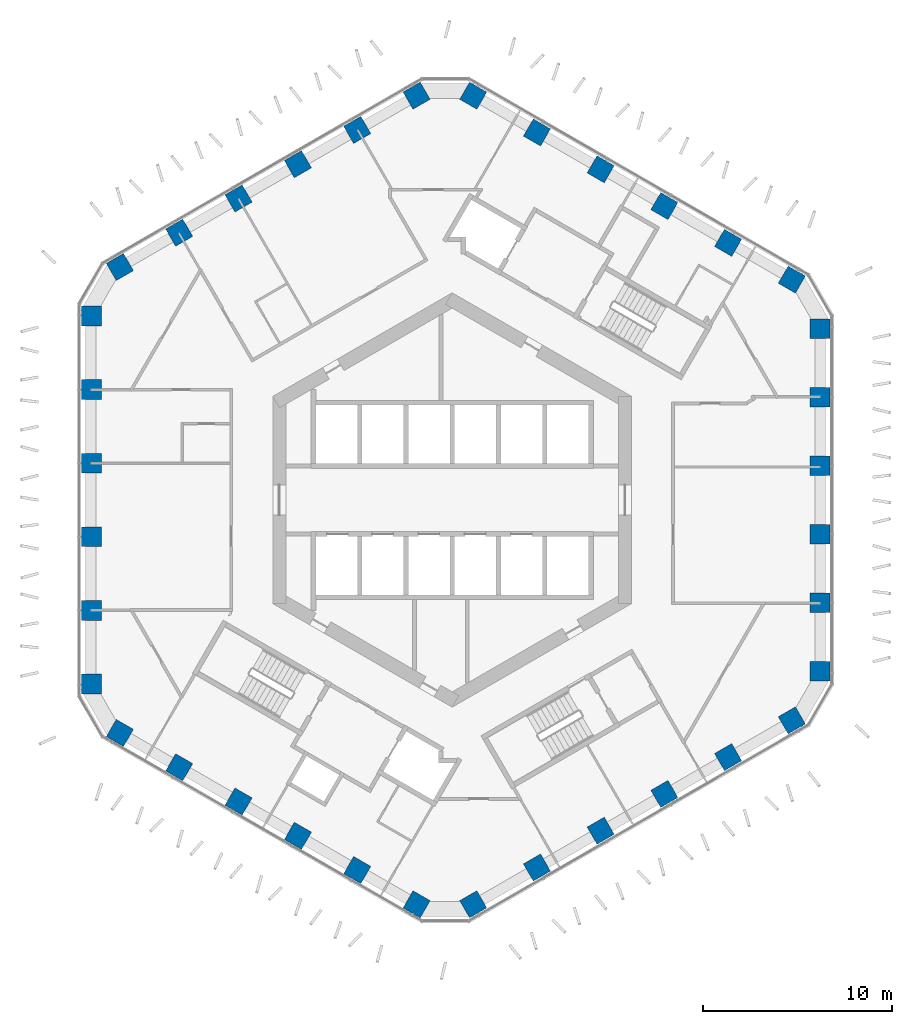
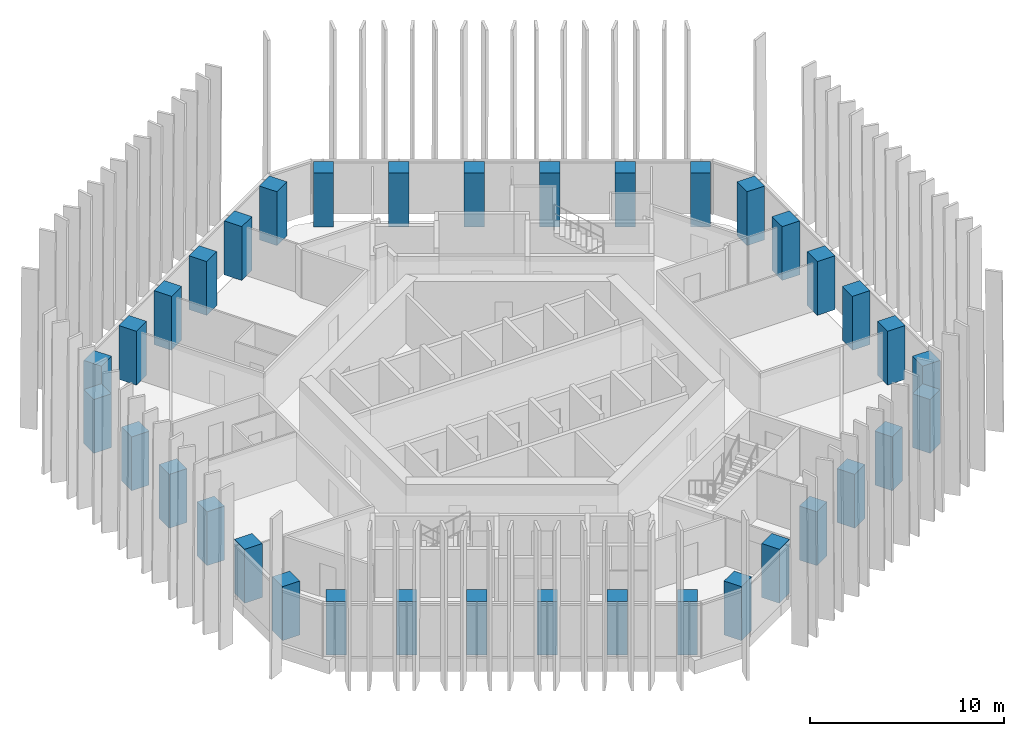
# One storey, part 1 of 19: 36 columns.
"""IFC4 building model written with IfcOpenShell, lengths in metres."""

from ifc_helpers import new_model, si_unit, direction, frame, origin, origin_2d, place, context, subcontext, project, spatial, rectangle, extrude, material, material_profile, profile_set, type_object, element, save


model = new_model("IFC4")

# Units and contexts
model_context = context("Model", 3, precision=1e-05, world=origin(), true_north=direction((0.0, 1.0)))
body_context = subcontext(model_context, "Body", "Model", "MODEL_VIEW")
ifc_project = project(units=[si_unit("LENGTHUNIT", "METRE"), si_unit("AREAUNIT", "SQUARE_METRE"), si_unit("VOLUMEUNIT", "CUBIC_METRE"), si_unit("PLANEANGLEUNIT", "RADIAN"), si_unit("MASSUNIT", "GRAM", prefix="KILO")], contexts=[model_context])

# Site, building, storey
site_placement = place(None, origin())
site = spatial("IfcSite", under=ifc_project, at=site_placement, CompositionType="ELEMENT")
building_placement = place(site_placement, origin())
building = spatial("IfcBuilding", under=site, at=building_placement, Name="Ayvan Gate Tower", CompositionType="ELEMENT")
storey_placement = place(building_placement, frame((0.0, 0.0, 103.5)))
storey = spatial("IfcBuildingStorey", under=building, at=storey_placement, Name="L27", CompositionType="ELEMENT", Elevation=103.5)

# Columns
ifc_material = material(Name="Concrete C60/75", Category="concrete")
ifc_material_profile = material_profile(ifc_material, rectangle(XDim=1.050048828125, YDim=1.050048828125, at=origin_2d()), Name="RC 1050x1050")
ifc_profile_set = profile_set([ifc_material_profile], Name="Concrete C60/75")
column_type = type_object("IfcColumnType", Name="Tube column RC 1050x1050 C60/75", PredefinedType="COLUMN", material=ifc_profile_set)
for number, where, z_axis, x_axis, name in (
    (1, (19.485595703125, -9.072509765625, 0.0), (0.0, 0.0, 1.0), (1.0, 0.0, 0.0), "C-T0-0-L27"),
    (2, (19.485595703125, -5.443603515625, 0.0), (0.0, 0.0, 1.0), (1.0, 0.0, 0.0), "C-T0-1-L27"),
    (3, (19.485595703125, -1.814453125, 0.0), (0.0, 0.0, 1.0), (1.0, 0.0, 0.0), "C-T0-2-L27"),
    (4, (19.485595703125, 1.814453125, 0.0), (0.0, 0.0, 1.0), (1.0, 0.0, 0.0), "C-T0-3-L27"),
    (5, (19.485595703125, 5.443603515625, 0.0), (0.0, 0.0, 1.0), (1.0, 0.0, 0.0), "C-T0-4-L27"),
    (6, (19.485595703125, 9.072509765625, 0.0), (0.0, 0.0, 1.0), (1.0, 0.0, 0.0), "C-T0-5-L27"),
    (7, (17.985595703125, 11.670654296875, 0.0), (0.0, 0.0, 1.0), (0.5, 0.866025403784, 0.0), "C-T1-0-L27"),
    (8, (14.611328125, 13.61865234375, 0.0), (0.0, 0.0, 1.0), (0.5, 0.866025403784, 0.0), "C-T1-1-L27"),
    (9, (11.237060546875, 15.56689453125, 0.0), (0.0, 0.0, 1.0), (0.5, 0.866025403784, 0.0), "C-T1-2-L27"),
    (10, (7.86279296875, 17.514892578125, 0.0), (0.0, 0.0, 1.0), (0.5, 0.866025403784, 0.0), "C-T1-3-L27"),
    (11, (4.488525390625, 19.463134765625, 0.0), (0.0, 0.0, 1.0), (0.5, 0.866025403784, 0.0), "C-T1-4-L27"),
    (12, (1.1142578125, 21.411376953125, 0.0), (0.0, 0.0, 1.0), (0.5, 0.866025403784, 0.0), "C-T1-5-L27"),
    (13, (-1.8857421875, 21.411376953125, 0.0), (0.0, 0.0, 1.0), (-0.5, 0.866025403784, 0.0), "C-T2-0-L27"),
    (14, (-5.028564453125, 19.5966796875, 0.0), (0.0, 0.0, 1.0), (-0.5, 0.866025403784, 0.0), "C-T2-1-L27"),
    (15, (-8.17138671875, 17.7822265625, 0.0), (0.0, 0.0, 1.0), (-0.5, 0.866025403784, 0.0), "C-T2-2-L27"),
    (16, (-11.314208984375, 15.9677734375, 0.0), (0.0, 0.0, 1.0), (-0.5, 0.866025403784, 0.0), "C-T2-3-L27"),
    (17, (-14.45703125, 14.1533203125, 0.0), (0.0, 0.0, 1.0), (-0.5, 0.866025403784, 0.0), "C-T2-4-L27"),
    (18, (-17.599853515625, 12.338623046875, 0.0), (0.0, 0.0, 1.0), (-0.5, 0.866025403784, 0.0), "C-T2-5-L27"),
    (19, (-19.099853515625, 9.74072265625, 0.0), (0.0, 0.0, 1.0), (-1.0, 0.0, 0.0), "C-T3-0-L27"),
    (20, (-19.099853515625, 5.844482421875, 0.0), (0.0, 0.0, 1.0), (-1.0, 0.0, 0.0), "C-T3-1-L27"),
    (21, (-19.099853515625, 1.9482421875, 0.0), (0.0, 0.0, 1.0), (-1.0, 0.0, 0.0), "C-T3-2-L27"),
    (22, (-19.099853515625, -1.9482421875, 0.0), (0.0, 0.0, 1.0), (-1.0, 0.0, 0.0), "C-T3-3-L27"),
    (23, (-19.099853515625, -5.844482421875, 0.0), (0.0, 0.0, 1.0), (-1.0, 0.0, 0.0), "C-T3-4-L27"),
    (24, (-19.099853515625, -9.74072265625, 0.0), (0.0, 0.0, 1.0), (-1.0, 0.0, 0.0), "C-T3-5-L27"),
    (25, (-17.599853515625, -12.338623046875, 0.0), (0.0, 0.0, 1.0), (-0.5, -0.866025403784, 0.0), "C-T4-0-L27"),
    (26, (-14.45703125, -14.1533203125, 0.0), (0.0, 0.0, 1.0), (-0.5, -0.866025403784, 0.0), "C-T4-1-L27"),
    (27, (-11.314208984375, -15.9677734375, 0.0), (0.0, 0.0, 1.0), (-0.5, -0.866025403784, 0.0), "C-T4-2-L27"),
    (28, (-8.17138671875, -17.7822265625, 0.0), (0.0, 0.0, 1.0), (-0.5, -0.866025403784, 0.0), "C-T4-3-L27"),
    (29, (-5.028564453125, -19.5966796875, 0.0), (0.0, 0.0, 1.0), (-0.5, -0.866025403784, 0.0), "C-T4-4-L27"),
    (30, (-1.8857421875, -21.411376953125, 0.0), (0.0, 0.0, 1.0), (-0.5, -0.866025403784, 0.0), "C-T4-5-L27"),
    (31, (1.1142578125, -21.411376953125, 0.0), (0.0, 0.0, 1.0), (0.5, -0.866025403784, 0.0), "C-T5-0-L27"),
    (32, (4.488525390625, -19.463134765625, 0.0), (0.0, 0.0, 1.0), (0.5, -0.866025403784, 0.0), "C-T5-1-L27"),
    (33, (7.86279296875, -17.514892578125, 0.0), (0.0, 0.0, 1.0), (0.5, -0.866025403784, 0.0), "C-T5-2-L27"),
    (34, (11.237060546875, -15.56689453125, 0.0), (0.0, 0.0, 1.0), (0.5, -0.866025403784, 0.0), "C-T5-3-L27"),
    (35, (14.611328125, -13.61865234375, 0.0), (0.0, 0.0, 1.0), (0.5, -0.866025403784, 0.0), "C-T5-4-L27"),
    (36, (17.985595703125, -11.670654296875, 0.0), (0.0, 0.0, 1.0), (0.5, -0.866025403784, 0.0), "C-T5-5-L27"),
):
    element("IfcColumn", number, at=place(storey_placement, frame(where, z_axis=z_axis, x_axis=x_axis)), inside=storey, type_object=column_type, Name=name, PredefinedType="COLUMN", context=body_context, shape_type="SweptSolid", body=[
        extrude(rectangle(XDim=1.050048828125, YDim=1.050048828125, at=origin_2d()), origin(), (0.0, 0.0, 1.0), 3.39990234375),
    ])

save(model, "model.ifc")
